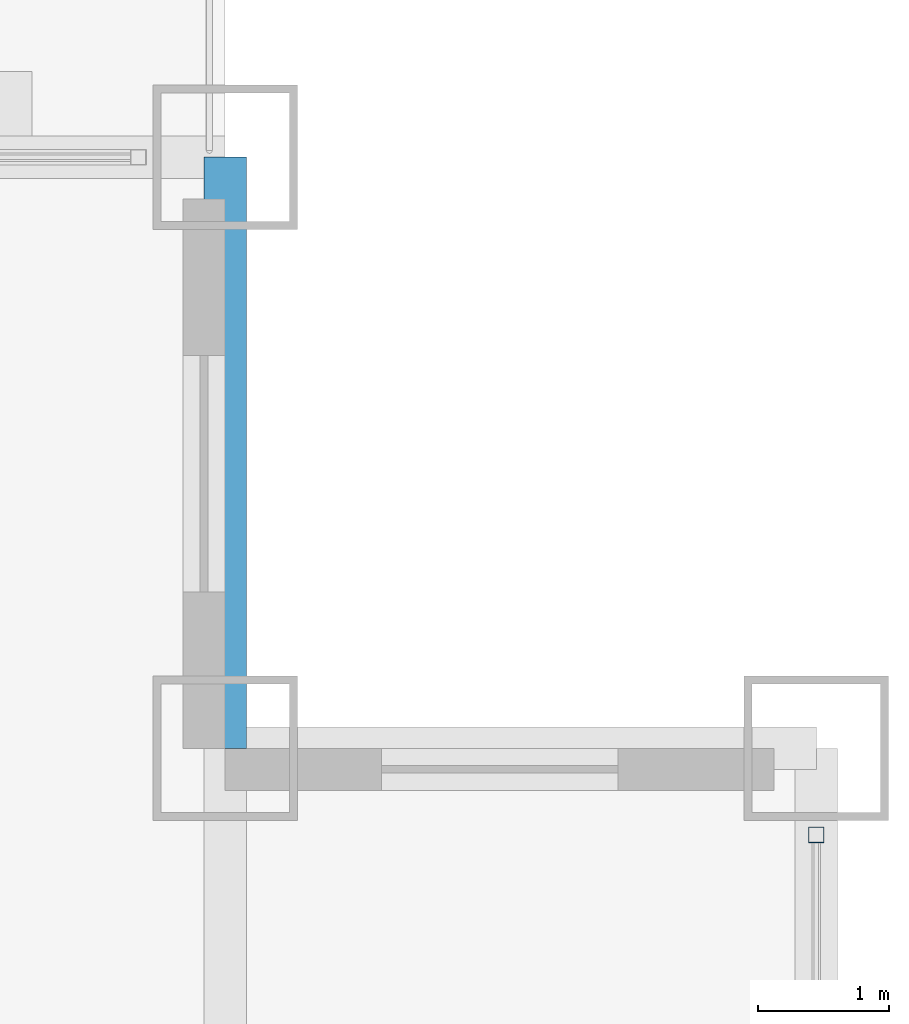
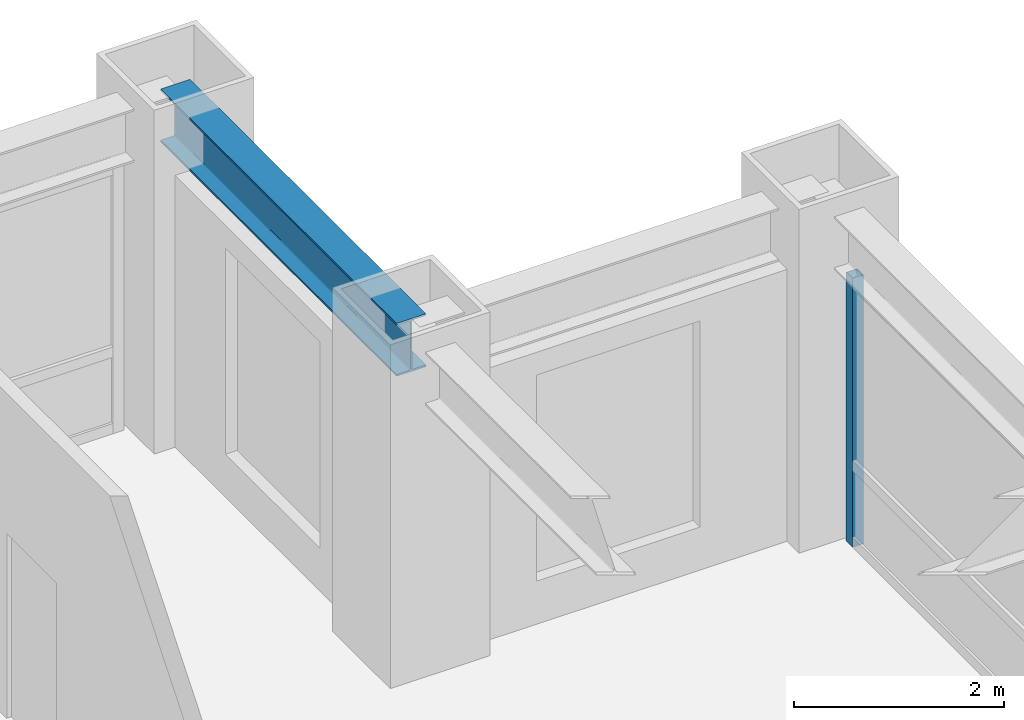
# One storey, part 23 of 35: 1 beam, 1 member, 1 element without a shape of its own.
"""IFC4 building model written with IfcOpenShell, lengths in metres."""

import ifcopenshell
import ifcopenshell.guid

model = None  # the IFC model being written
_history = None  # IfcOwnerHistory: only IFC2X3 demands one
_inside = {}  # id of a spatial element -> (the spatial element, [elements in it])
_under = {}  # id of a project, library or spatial element -> (it, [spatial elements below it])
_declared = {}  # id of a project -> (the project, [libraries it declares])
_typed = {}  # id of a type object -> (the type object, [elements of that type])
_made_of = {}  # id of a material, layer set ... -> (it, [elements and type objects made of it])


def new_model(schema):
    """Start an empty IFC model of exactly this schema.

    Asked for "IFC4X3", IfcOpenShell would pick the latest addendum, in which some entities
    have other attributes; the version numbers below select the first issue.
    IFC2X3 requires an IfcOwnerHistory on every rooted entity: one is made here for all.
    """
    global model, _history
    if schema == "IFC4X3":
        model = ifcopenshell.file(schema_version=(4, 3, 0, 0))
    else:
        model = ifcopenshell.file(schema=schema)
    _inside.clear()
    _under.clear()
    _declared.clear()
    _typed.clear()
    _made_of.clear()
    _history = None
    if model.schema == "IFC2X3":
        org = make("IfcOrganization", Name="unknown")
        user = make(
            "IfcPersonAndOrganization",
            ThePerson=make("IfcPerson", FamilyName="unknown"),
            TheOrganization=org,
        )
        app = make(
            "IfcApplication",
            ApplicationDeveloper=org,
            Version="unknown",
            ApplicationFullName="unknown",
            ApplicationIdentifier="unknown",
        )
        _history = make(
            "IfcOwnerHistory",
            OwningUser=user,
            OwningApplication=app,
            ChangeAction="ADDED",
            CreationDate=0,
        )
    return model


def make(cls, **values):
    """One entity of the class cls with the attributes given. An attribute that is None is left unset."""
    return model.create_entity(
        cls, **{name: value for name, value in values.items() if value is not None}
    )


def rooted(cls, **values):
    """An entity with a GlobalId (a new one), such as an element, a storey or a relation."""
    return make(cls, GlobalId=ifcopenshell.guid.new(), OwnerHistory=_history, **values)


def si_unit(unit_type, name, prefix=None):
    """IfcSIUnit, for example si_unit("LENGTHUNIT", "METRE", prefix="MILLI")."""
    return make("IfcSIUnit", UnitType=unit_type, Prefix=prefix, Name=name)


def assignment(units):
    """IfcUnitAssignment: the units of a project."""
    return None if units is None else make("IfcUnitAssignment", Units=units)


def point(xyz):
    """IfcCartesianPoint."""
    return None if xyz is None else make("IfcCartesianPoint", Coordinates=xyz)


def direction(xyz):
    """IfcDirection."""
    return None if xyz is None else make("IfcDirection", DirectionRatios=xyz)


def frame(location, z_axis=None, x_axis=None):
    """IfcAxis2Placement3D, a coordinate frame: its origin and axes. An axis left out is left unset."""
    return make(
        "IfcAxis2Placement3D",
        Location=point(location),
        Axis=direction(z_axis),
        RefDirection=direction(x_axis),
    )


def frame_2d(location, x_axis=None):
    """IfcAxis2Placement2D, a coordinate frame in the plane: its origin and x axis."""
    return make(
        "IfcAxis2Placement2D", Location=point(location), RefDirection=direction(x_axis)
    )


def origin():
    """The frame at (0, 0, 0) with its axes left unset."""
    return frame((0.0, 0.0, 0.0))


def origin_2d():
    """The frame at (0, 0) in the plane with its x axis left unset."""
    return frame_2d((0.0, 0.0))


def place(relative_to, where):
    """IfcLocalPlacement: puts the frame where relative to a parent placement (None: the world)."""
    return make(
        "IfcLocalPlacement", PlacementRelTo=relative_to, RelativePlacement=where
    )


def context(
    kind, dimensions, precision=None, world=None, true_north=None, identifier=None
):
    """IfcGeometricRepresentationContext, for example the 3D "Model" context."""
    return make(
        "IfcGeometricRepresentationContext",
        ContextIdentifier=identifier,
        ContextType=kind,
        CoordinateSpaceDimension=dimensions,
        Precision=precision,
        WorldCoordinateSystem=world,
        TrueNorth=true_north,
    )


def subcontext(parent, identifier, kind, view, scale=None):
    """IfcGeometricRepresentationSubContext, for example "Body" below "Model"."""
    return make(
        "IfcGeometricRepresentationSubContext",
        ContextIdentifier=identifier,
        ContextType=kind,
        ParentContext=parent,
        TargetScale=scale,
        TargetView=view,
    )


def project(units=None, contexts=None):
    """IfcProject with its units and contexts."""
    return rooted(
        "IfcProject",
        Name="project",
        RepresentationContexts=contexts,
        UnitsInContext=assignment(units),
    )


def spatial(cls, under=None, at=None, **own):
    """A site, building, storey or space (cls), placed at a placement, below another one or the project."""
    s = rooted(cls, ObjectPlacement=at, **own)
    if under is not None:
        _under.setdefault(under.id(), (under, []))[1].append(s)
    return s


def profile(cls, at=None, kind="AREA", **sizes):
    """A parametric profile (cls). Its sizes go by their IFC names, for example OverallWidth=200.0."""
    return make(cls, ProfileType=kind, Position=at, **sizes)


def hollow_rectangle(**sizes):
    """IfcRectangleHollowProfileDef."""
    return profile("IfcRectangleHollowProfileDef", **sizes)


def i_section(**sizes):
    """IfcIShapeProfileDef."""
    return profile("IfcIShapeProfileDef", **sizes)


def extrude(swept, where, along, depth):
    """IfcExtrudedAreaSolid: the profile swept, set in the frame where, extruded along a direction by depth."""
    return make(
        "IfcExtrudedAreaSolid",
        SweptArea=swept,
        Position=where,
        ExtrudedDirection=direction(along),
        Depth=depth,
    )


def shape(context_of_items, identifier, shape_type, items):
    """IfcShapeRepresentation: the items that make up one representation, for example the "Body"."""
    return make(
        "IfcShapeRepresentation",
        ContextOfItems=context_of_items,
        RepresentationIdentifier=identifier,
        RepresentationType=shape_type,
        Items=items,
    )


def source(mapping_origin, context_of_items, identifier, shape_type, items):
    """IfcRepresentationMap: a shape defined once, which mapped items show again and again."""
    return make(
        "IfcRepresentationMap",
        MappingOrigin=mapping_origin,
        MappedRepresentation=shape(context_of_items, identifier, shape_type, items),
    )


def transform(
    local_origin,
    x_axis=None,
    y_axis=None,
    z_axis=None,
    scale=None,
    scale2=None,
    scale3=None,
    uniform=True,
):
    """IfcCartesianTransformationOperator3D, or its non-uniform kind. x_axis, y_axis, z_axis: its Axis1, 2, 3."""
    if uniform:
        return make(
            "IfcCartesianTransformationOperator3D",
            Axis1=direction(x_axis),
            Axis2=direction(y_axis),
            LocalOrigin=point(local_origin),
            Scale=scale,
            Axis3=direction(z_axis),
        )
    return make(
        "IfcCartesianTransformationOperator3DnonUniform",
        Axis1=direction(x_axis),
        Axis2=direction(y_axis),
        LocalOrigin=point(local_origin),
        Scale=scale,
        Axis3=direction(z_axis),
        Scale2=scale2,
        Scale3=scale3,
    )


def mapped(mapping_source, mapping_target):
    """IfcMappedItem: shows the shape of a source again, moved by a transform."""
    return make(
        "IfcMappedItem", MappingSource=mapping_source, MappingTarget=mapping_target
    )


def material(Name=None, Category=None):
    """IfcMaterial."""
    return make("IfcMaterial", Name=Name, Category=Category)


def material_profile(
    of_material, cross_section, Name=None, Category=None, Priority=None
):
    """IfcMaterialProfile: a cross section and its material."""
    return make(
        "IfcMaterialProfile",
        Name=Name,
        Material=of_material,
        Profile=cross_section,
        Priority=Priority,
        Category=Category,
    )


def profile_set(profiles, Name=None, composite=None):
    """IfcMaterialProfileSet."""
    return make(
        "IfcMaterialProfileSet",
        Name=Name,
        MaterialProfiles=profiles,
        CompositeProfile=composite,
    )


def made_of(thing, what):
    """Note that an element or type object is made of a material, layer set ...; save() writes the relation."""
    if what is not None:
        _made_of.setdefault(what.id(), (what, []))[1].append(thing)
    return thing


def type_object(cls, material=None, **own):
    """A type object (cls), such as IfcWallType, which elements share."""
    return made_of(rooted(cls, **own), material)


def element(
    cls,
    number,
    at=None,
    inside=None,
    cuts=None,
    type_object=None,
    material=None,
    context=None,
    identifier="Body",
    shape_type=None,
    held_by="IfcProductDefinitionShape",
    body=None,
    shapes=None,
    **own,
):
    """One element of the class cls, such as IfcWall. Its Tag is "e" and its number.

    at: its placement. inside: the storey or other place that contains it. cuts: it is an
    opening in that element (IfcRelVoidsElement). A single representation is given by context,
    identifier, shape_type and body (its items); several are given by shapes. held_by: the class
    of the entity that holds the representations. save() writes the other relations.
    """
    e = rooted(cls, Tag="e%d" % number, ObjectPlacement=at, **own)
    if body is not None:
        shapes = [shape(context, identifier, shape_type, body)]
    if shapes is not None:
        e.Representation = make(held_by, Representations=shapes)
    if inside is not None:
        _inside.setdefault(inside.id(), (inside, []))[1].append(e)
    if cuts is not None:
        rooted(
            "IfcRelVoidsElement", RelatingBuildingElement=cuts, RelatedOpeningElement=e
        )
    if type_object is not None:
        _typed.setdefault(type_object.id(), (type_object, []))[1].append(e)
    return made_of(e, material)


def aggregate(whole, parts):
    """IfcRelAggregates: a whole, such as a stair, and the parts it consists of."""
    return rooted("IfcRelAggregates", RelatingObject=whole, RelatedObjects=parts)


def save(model, path):
    """Write the relations noted so far, then the file.

    IfcRelAggregates (storeys below a building ...), IfcRelContainedInSpatialStructure (elements
    in a storey), IfcRelDefinesByType, IfcRelAssociatesMaterial and IfcRelDeclares: one each for
    every whole, place, type object, material and project.
    """
    for whole, parts in _under.values():
        aggregate(whole, parts)
    for where, things in _inside.values():
        rooted(
            "IfcRelContainedInSpatialStructure",
            RelatedElements=things,
            RelatingStructure=where,
        )
    for kind, things in _typed.values():
        rooted("IfcRelDefinesByType", RelatedObjects=things, RelatingType=kind)
    for what, things in _made_of.values():
        rooted("IfcRelAssociatesMaterial", RelatedObjects=things, RelatingMaterial=what)
    for by, libraries in _declared.values():
        rooted("IfcRelDeclares", RelatingContext=by, RelatedDefinitions=libraries)
    model.write(path)


model = new_model("IFC4")

# Units and contexts
model_context = context("Model", 3, precision=1e-05, world=origin(), true_north=direction((0.0, 1.0)))
body_context = subcontext(model_context, "Body", "Model", "MODEL_VIEW")
ifc_project = project(units=[si_unit("LENGTHUNIT", "METRE"), si_unit("AREAUNIT", "SQUARE_METRE"), si_unit("VOLUMEUNIT", "CUBIC_METRE"), si_unit("PLANEANGLEUNIT", "RADIAN"), si_unit("MASSUNIT", "GRAM", prefix="KILO")], contexts=[model_context])

# Site, building, storey
site_placement = place(None, origin())
site = spatial("IfcSite", under=ifc_project, at=site_placement, CompositionType="ELEMENT")
building_placement = place(site_placement, origin())
building = spatial("IfcBuilding", under=site, at=building_placement, Name="Khorayat Bourse Tower", CompositionType="ELEMENT")
storey_placement = place(building_placement, frame((0.0, 0.0, 155.10009765625)))
storey = spatial("IfcBuildingStorey", under=building, at=storey_placement, Name="L35", CompositionType="ELEMENT", Elevation=155.10009765625)

# Beam
ifc_material_1 = material(Name="Steel ASTM A992 Grade 50", Category="steel")
ifc_material_profile_1 = material_profile(ifc_material_1, i_section(OverallWidth=0.324951171875, OverallDepth=0.615966796875, WebThickness=0.013916015625, FlangeThickness=0.021484375, FilletRadius=0.01611328125, at=origin_2d()), Name="W610X174")
ifc_profile_set_1 = profile_set([ifc_material_profile_1], Name="Steel ASTM A992 Grade 50")
beam_type = type_object("IfcBeamType", Name="BM-SPAN-610", PredefinedType="SPANDREL", material=ifc_profile_set_1)
shared_shape_1 = source(origin(), body_context, "Body", "SweptSolid", [
    extrude(i_section(OverallWidth=0.324951171875, OverallDepth=0.615966796875, WebThickness=0.013916015625, FlangeThickness=0.021484375, FilletRadius=0.01611328125, at=origin_2d()), origin(), (0.0, 0.0, 1.0), 4.5),
])
beam_placement = place(storey_placement, frame((25.5, 25.5, 3.471923828125), z_axis=(0.0, 1.0, 0.0), x_axis=(-1.0, 0.0, 0.0)))
element("IfcBeam", 1, at=beam_placement, inside=storey, type_object=beam_type, Name="L35 BM-SPAN-610 BM-L35-SPN-043", PredefinedType="SPANDREL", context=body_context, shape_type="MappedRepresentation", body=[
    mapped(shared_shape_1, transform((0.0, 0.0, 0.0), scale=1.0)),
])

# Curtain wall, member
ifc_material_2 = material(Name="Aluminium EN AW-6063 T6", Category="aluminium")
curtain_wall_type = type_object("IfcCurtainWallType", Name="CW-SYS-03", PredefinedType="NOTDEFINED", material=ifc_material_2)
curtain_wall_placement = place(storey_placement, origin())
curtain_wall = element("IfcCurtainWall", 2, at=curtain_wall_placement, inside=storey, type_object=curtain_wall_type, Name="L35 Curtain Wall CW-L35-E1", PredefinedType="NOTDEFINED")
ifc_material_profile_2 = material_profile(ifc_material_2, hollow_rectangle(XDim=0.1201171875, YDim=0.1201171875, WallThickness=0.0048828125, at=origin_2d()), Name="ALU 120x120x5")
ifc_profile_set_2 = profile_set([ifc_material_profile_2], Name="Aluminium EN AW-6063 T6")
member_type = type_object("IfcMemberType", Name="CWM-VERT-120", PredefinedType="MULLION", material=ifc_profile_set_2)
shared_shape_2 = source(origin(), body_context, "Body", "SweptSolid", [
    extrude(hollow_rectangle(XDim=0.1201171875, YDim=0.1201171875, WallThickness=0.0048828125, at=origin_2d()), origin(), (0.0, 0.0, 1.0), 3.1298828125),
])
member_placement = place(storey_placement, frame((30.0, 24.840087890625, 0.0), z_axis=(0.0, 0.0, 1.0), x_axis=(-1.0, 0.0, 0.0)))
member = element("IfcMember", 3, at=member_placement, type_object=member_type, Name="CW-L35-E1 Vertical Mullion 3", PredefinedType="MULLION", context=body_context, shape_type="MappedRepresentation", body=[
    mapped(shared_shape_2, transform((0.0, 0.0, 0.0), scale=1.0)),
])
aggregate(curtain_wall, [member])

save(model, "model.ifc")
